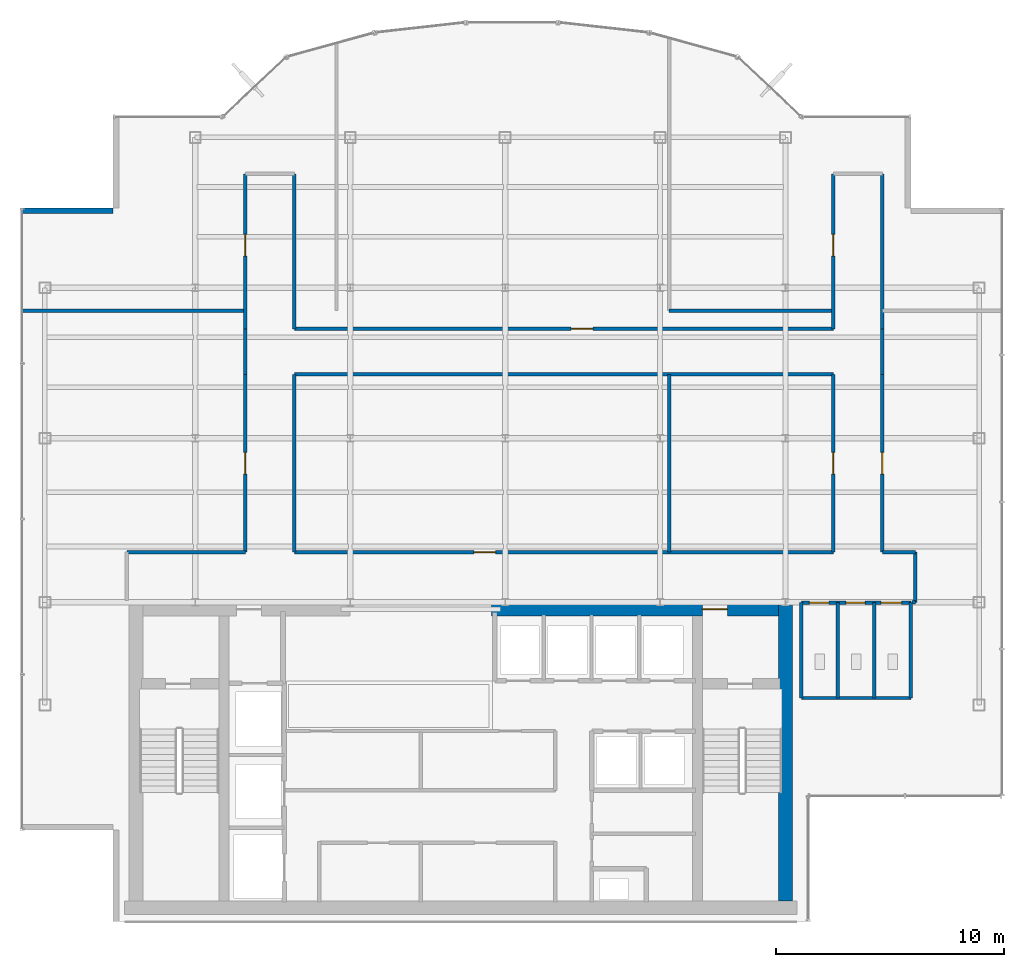
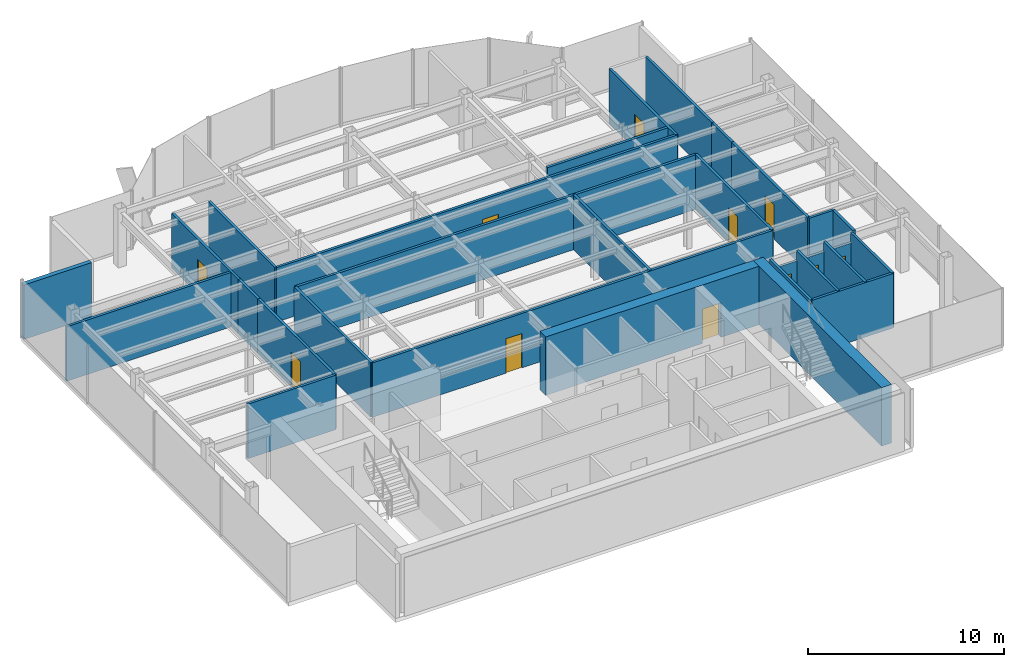
# One storey, part 18 of 22: 29 walls, 11 doors, 11 openings.
"""IFC4 building model written with IfcOpenShell, lengths in metres."""

from ifc_helpers import new_model, si_unit, derived_unit, direction, frame, frame_2d, origin, place, context, subcontext, project, spatial, rectangle, extrude, source, transform, mapped, material, layer, layer_set, type_object, element, fill, save


model = new_model("IFC4")

# Units and contexts
model_context = context("Model", 3, precision=1e-05, world=origin(), true_north=direction((0.0, 1.0)))
body_context = subcontext(model_context, "Body", "Model", "MODEL_VIEW")
ifc_project = project(units=[si_unit("LENGTHUNIT", "METRE"), si_unit("AREAUNIT", "SQUARE_METRE"), si_unit("VOLUMEUNIT", "CUBIC_METRE"), si_unit("PLANEANGLEUNIT", "RADIAN"), si_unit("MASSUNIT", "GRAM", prefix="KILO"), derived_unit("THERMALTRANSMITTANCEUNIT", [(si_unit("POWERUNIT", "WATT"), 1), (si_unit("LENGTHUNIT", "METRE"), -2), (si_unit("THERMODYNAMICTEMPERATUREUNIT", "KELVIN"), -1)])], contexts=[model_context])

# Site, building, storey
site_placement = place(None, origin())
site = spatial("IfcSite", under=ifc_project, at=site_placement, CompositionType="ELEMENT")
building_placement = place(site_placement, origin())
building = spatial("IfcBuilding", under=site, at=building_placement, Name="Skarnbrae Concourse Arena and Tower", CompositionType="ELEMENT")
storey_placement = place(building_placement, frame((0.0, 0.0, 266.10009765625)))
storey = spatial("IfcBuildingStorey", under=building, at=storey_placement, Name="L69", CompositionType="ELEMENT", Elevation=266.10009765625)

# Wall
ifc_material_1 = material(Name="Concrete 50 MPa (C50/60)", Category="concrete")
ifc_layer_1 = layer(ifc_material_1, 0.60009765625)
ifc_layer_set_1 = layer_set([ifc_layer_1], Name="Concrete 50 MPa (C50/60)")
wall_type_1 = type_object("IfcWallType", Name="WALL-CORE-600-C50", PredefinedType="SHEAR", material=ifc_layer_set_1)
shared_shape_1 = source(origin(), body_context, "Body", "SweptSolid", [
    extrude(rectangle(XDim=13.10009765625, YDim=0.60009765625, at=frame_2d((6.550048828125, 0.0))), origin(), (0.0, 0.0, 1.0), 3.64990234375),
])
wall_1_placement = place(storey_placement, frame((33.5, 0.89990234375, 0.0), z_axis=(0.0, 0.0, 1.0), x_axis=(0.0, 1.0, 0.0)))
element("IfcWall", 1, at=wall_1_placement, inside=storey, type_object=wall_type_1, Name="L69 Rear core shear wall CW-E", PredefinedType="SHEAR", context=body_context, shape_type="MappedRepresentation", body=[
    mapped(shared_shape_1, transform((0.0, 0.0, 0.0))),
])

# Wall, opening, door
shared_shape_2 = source(origin(), body_context, "Body", "SweptSolid", [
    extrude(rectangle(XDim=12.599853515625, YDim=0.60009765625, at=frame_2d((6.2998046875, 0.0))), origin(), (0.0, 0.0, 1.0), 3.64990234375),
])
wall_2_placement = place(storey_placement, frame((20.60009765625, 13.699951171875, 0.0), z_axis=(0.0, 0.0, 1.0), x_axis=(1.0, 0.0, 0.0)))
wall_2 = element("IfcWall", 2, at=wall_2_placement, inside=storey, type_object=wall_type_1, Name="L69 Rear core shear wall CW-NE", PredefinedType="SHEAR", context=body_context, shape_type="MappedRepresentation", body=[
    mapped(shared_shape_2, transform((0.0, 0.0, 0.0))),
])
opening_1_placement = place(wall_2_placement, frame((9.25, 0.0, 0.0)))
opening_1 = element("IfcOpeningElement", 3, at=opening_1_placement, cuts=wall_2, Name="Opening DT-03", PredefinedType="OPENING", context=body_context, shape_type="SweptSolid", body=[
    extrude(rectangle(XDim=1.10009765625, YDim=2.14990234375, at=frame_2d((0.550048828125, 1.074951171875))), frame((0.0, 0.31005859375, 0.0), z_axis=(0.0, -1.0, 0.0), x_axis=(1.0, 0.0, 0.0)), (0.0, 0.0, 1.0), 0.6201171875),
])
ifc_material_2 = material(Name="Steel CSA G40.21 350W", Category="steel")
door_type_1 = type_object("IfcDoorType", Name="DOOR-FIRE-1100-90M", OperationType="NOTDEFINED", PredefinedType="DOOR", material=ifc_material_2)
shared_shape_3 = source(origin(), body_context, "Body", "SweptSolid", [
    extrude(rectangle(XDim=1.10009765625, YDim=2.14990234375, at=frame_2d((0.550048828125, 1.074951171875))), frame((0.0, 0.02490234375, 0.0), z_axis=(0.0, -1.0, 0.0), x_axis=(1.0, 0.0, 0.0)), (0.0, 0.0, 1.0), 0.050048828125),
])
door_1_placement = place(opening_1_placement, origin())
door_1 = element("IfcDoor", 4, at=door_1_placement, inside=storey, type_object=door_type_1, Name="D-2080 Stair ST-2 Vestibule Door", OperationType="SINGLE_SWING_LEFT", OverallHeight=2.14990234375, OverallWidth=1.10009765625, PredefinedType="DOOR", context=body_context, shape_type="MappedRepresentation", body=[
    mapped(shared_shape_3, transform((0.0, 0.0, 0.0))),
])
fill(opening_1, door_1)

# Walls
ifc_material_3 = material(Name="Precast concrete 40 MPa (C40/50)", Category="concrete")
ifc_layer_2 = layer(ifc_material_3, 0.25)
ifc_layer_set_2 = layer_set([ifc_layer_2], Name="Precast concrete 40 MPa (C40/50)")
wall_type_2 = type_object("IfcWallType", Name="WALL-EXT-SPANDREL-250", PredefinedType="STANDARD", material=ifc_layer_set_2)
shared_shape_4 = source(origin(), body_context, "Body", "SweptSolid", [
    extrude(rectangle(XDim=4.0, YDim=0.25, at=frame_2d((2.0, 0.0))), origin(), (0.0, 0.0, 1.0), 3.39990234375),
])
wall_3_placement = place(storey_placement, frame((4.0, 31.175048828125, 0.0), z_axis=(0.0, 0.0, 1.0), x_axis=(-1.0, 0.0, 0.0)))
element("IfcWall", 5, at=wall_3_placement, inside=storey, type_object=wall_type_2, Name="L69 Notched corner insulated return wall 17", PredefinedType="STANDARD", context=body_context, shape_type="MappedRepresentation", body=[
    mapped(shared_shape_4, transform((0.0, 0.0, 0.0))),
])
ifc_material_4 = material(Name="Gypsum board on cold-formed steel studs", Category="steel")
ifc_layer_3 = layer(ifc_material_4, 0.14990234375)
ifc_layer_set_3 = layer_set([ifc_layer_3], Name="Gypsum board on cold-formed steel studs")
wall_type_3 = type_object("IfcWallType", Name="WALL-PART-150", PredefinedType="PARTITIONING", material=ifc_layer_set_3)
shared_shape_5 = source(origin(), body_context, "Body", "SweptSolid", [
    extrude(rectangle(XDim=4.800048828125, YDim=0.14990234375, at=frame_2d((2.39990234375, 0.0))), origin(), (0.0, 0.0, 1.0), 3.39990234375),
])
wall_4_placement = place(storey_placement, frame((34.199951171875, 9.800048828125, 0.0), z_axis=(0.0, 0.0, 1.0), x_axis=(1.0, 0.0, 0.0)))
element("IfcWall", 6, at=wall_4_placement, inside=storey, type_object=wall_type_3, Name="L69 Interior partition wall W-L69-WC-S", PredefinedType="PARTITIONING", context=body_context, shape_type="MappedRepresentation", body=[
    mapped(shared_shape_5, transform((0.0, 0.0, 0.0))),
])
shared_shape_6 = source(origin(), body_context, "Body", "SweptSolid", [
    extrude(rectangle(XDim=4.179931640625, YDim=0.14990234375, at=frame_2d((2.08984375, 0.0))), origin(), (0.0, 0.0, 1.0), 3.39990234375),
])
for number, where, z_axis, x_axis, name in (
    (7, (39.0, 9.800048828125, 0.0), (0.0, 0.0, 1.0), (0.0, 1.0, 0.0), "L69 Interior partition wall W-L69-WC-E"),
    (8, (34.199951171875, 9.800048828125, 0.0), (0.0, 0.0, 1.0), (0.0, 1.0, 0.0), "L69 Interior partition wall W-L69-WC-W"),
    (9, (35.800048828125, 9.800048828125, 0.0), (0.0, 0.0, 1.0), (0.0, 1.0, 0.0), "L69 Interior partition wall W-L69-WC-D1"),
    (10, (37.39990234375, 9.800048828125, 0.0), (0.0, 0.0, 1.0), (0.0, 1.0, 0.0), "L69 Interior partition wall W-L69-WC-D2"),
):
    element("IfcWall", number, at=place(storey_placement, frame(where, z_axis=z_axis, x_axis=x_axis)), inside=storey, type_object=wall_type_3, Name=name, PredefinedType="PARTITIONING", context=body_context, shape_type="MappedRepresentation", body=[
        mapped(shared_shape_6, transform((0.0, 0.0, 0.0))),
    ])
ifc_layer_4 = layer(ifc_material_4, 0.14990234375)
ifc_layer_set_4 = layer_set([ifc_layer_4], Name="Gypsum board on cold-formed steel studs")
wall_type_4 = type_object("IfcWallType", Name="WALL-PART-150-1HR", PredefinedType="PARTITIONING", material=ifc_layer_set_4)
shared_shape_7 = source(origin(), body_context, "Body", "SweptSolid", [
    extrude(rectangle(XDim=2.199951171875, YDim=0.14990234375, at=frame_2d((1.10009765625, 0.0))), origin(), (0.0, 0.0, 1.0), 3.39990234375),
])
wall_5_placement = place(storey_placement, frame((39.199951171875, 16.199951171875, 0.0), z_axis=(0.0, 0.0, 1.0), x_axis=(0.0, -1.0, 0.0)))
element("IfcWall", 11, at=wall_5_placement, inside=storey, type_object=wall_type_4, Name="L69 Interior partition wall W-L69-COR-15", PredefinedType="PARTITIONING", context=body_context, shape_type="MappedRepresentation", body=[
    mapped(shared_shape_7, transform((0.0, 0.0, 0.0))),
])
shared_shape_8 = source(origin(), body_context, "Body", "SweptSolid", [
    extrude(rectangle(XDim=5.199951171875, YDim=0.14990234375, at=frame_2d((2.60009765625, 0.0))), origin(), (0.0, 0.0, 1.0), 3.39990234375),
])
wall_6_placement = place(storey_placement, frame((4.60009765625, 16.199951171875, 0.0), z_axis=(0.0, 0.0, 1.0), x_axis=(1.0, 0.0, 0.0)))
element("IfcWall", 12, at=wall_6_placement, inside=storey, type_object=wall_type_4, Name="L69 Interior partition wall W-L69-COR-02", PredefinedType="PARTITIONING", context=body_context, shape_type="MappedRepresentation", body=[
    mapped(shared_shape_8, transform((0.0, 0.0, 0.0))),
])

# Wall, opening, door
shared_shape_9 = source(origin(), body_context, "Body", "SweptSolid", [
    extrude(rectangle(XDim=7.800048828125, YDim=0.14990234375, at=frame_2d((3.89990234375, 0.0))), origin(), (0.0, 0.0, 1.0), 3.39990234375),
])
wall_7_placement = place(storey_placement, frame((9.800048828125, 16.199951171875, 0.0), z_axis=(0.0, 0.0, 1.0), x_axis=(0.0, 1.0, 0.0)))
wall_7 = element("IfcWall", 13, at=wall_7_placement, inside=storey, type_object=wall_type_4, Name="L69 Interior partition wall W-L69-COR-03", PredefinedType="PARTITIONING", context=body_context, shape_type="MappedRepresentation", body=[
    mapped(shared_shape_9, transform((0.0, 0.0, 0.0))),
])
opening_2_placement = place(wall_7_placement, frame((3.425048828125, 0.0, 0.0)))
opening_2 = element("IfcOpeningElement", 14, at=opening_2_placement, cuts=wall_7, Name="Opening DT-04", PredefinedType="OPENING", context=body_context, shape_type="SweptSolid", body=[
    extrude(rectangle(XDim=0.949951171875, YDim=2.14990234375, at=frame_2d((0.47509765625, 1.074951171875))), frame((0.0, 0.0849609375, 0.0), z_axis=(0.0, -1.0, 0.0), x_axis=(1.0, 0.0, 0.0)), (0.0, 0.0, 1.0), 0.169921875),
])
door_type_2 = type_object("IfcDoorType", Name="DOOR-INT-950-45M", OperationType="NOTDEFINED", PredefinedType="DOOR", material=ifc_material_2)
shared_shape_10 = source(origin(), body_context, "Body", "SweptSolid", [
    extrude(rectangle(XDim=0.949951171875, YDim=2.14990234375, at=frame_2d((0.47509765625, 1.074951171875))), frame((0.0, 0.02490234375, 0.0), z_axis=(0.0, -1.0, 0.0), x_axis=(1.0, 0.0, 0.0)), (0.0, 0.0, 1.0), 0.050048828125),
])
door_2_placement = place(opening_2_placement, origin())
door_2 = element("IfcDoor", 15, at=door_2_placement, inside=storey, type_object=door_type_2, Name="D-2099 L69 Suite Door 01", OperationType="SINGLE_SWING_LEFT", OverallHeight=2.14990234375, OverallWidth=0.949951171875, PredefinedType="DOOR", context=body_context, shape_type="MappedRepresentation", body=[
    mapped(shared_shape_10, transform((0.0, 0.0, 0.0))),
])
fill(opening_2, door_2)

wall_8_placement = place(storey_placement, frame((37.75, 24.0, 0.0), z_axis=(0.0, 0.0, 1.0), x_axis=(0.0, -1.0, 0.0)))
wall_8 = element("IfcWall", 16, at=wall_8_placement, inside=storey, type_object=wall_type_4, Name="L69 Interior partition wall W-L69-COR-13", PredefinedType="PARTITIONING", context=body_context, shape_type="MappedRepresentation", body=[
    mapped(shared_shape_9, transform((0.0, 0.0, 0.0))),
])
opening_3_placement = place(wall_8_placement, frame((3.425048828125, 0.0, 0.0)))
opening_3 = element("IfcOpeningElement", 17, at=opening_3_placement, cuts=wall_8, Name="Opening DT-04", PredefinedType="OPENING", context=body_context, shape_type="SweptSolid", body=[
    extrude(rectangle(XDim=0.949951171875, YDim=2.14990234375, at=frame_2d((0.47509765625, 1.074951171875))), frame((0.0, 0.0849609375, 0.0), z_axis=(0.0, -1.0, 0.0), x_axis=(1.0, 0.0, 0.0)), (0.0, 0.0, 1.0), 0.169921875),
])
door_3_placement = place(opening_3_placement, origin())
door_3 = element("IfcDoor", 18, at=door_3_placement, inside=storey, type_object=door_type_2, Name="D-2105 L69 Suite Door 07", OperationType="SINGLE_SWING_LEFT", OverallHeight=2.14990234375, OverallWidth=0.949951171875, PredefinedType="DOOR", context=body_context, shape_type="MappedRepresentation", body=[
    mapped(shared_shape_10, transform((0.0, 0.0, 0.0))),
])
fill(opening_3, door_3)

wall_9_placement = place(storey_placement, frame((35.60009765625, 16.199951171875, 0.0), z_axis=(0.0, 0.0, 1.0), x_axis=(0.0, 1.0, 0.0)))
wall_9 = element("IfcWall", 19, at=wall_9_placement, inside=storey, type_object=wall_type_4, Name="L69 Interior partition wall W-L69-COR-18", PredefinedType="PARTITIONING", context=body_context, shape_type="MappedRepresentation", body=[
    mapped(shared_shape_9, transform((0.0, 0.0, 0.0))),
])
opening_4_placement = place(wall_9_placement, frame((3.425048828125, 0.0, 0.0)))
opening_4 = element("IfcOpeningElement", 20, at=opening_4_placement, cuts=wall_9, Name="Opening DT-04", PredefinedType="OPENING", context=body_context, shape_type="SweptSolid", body=[
    extrude(rectangle(XDim=0.949951171875, YDim=2.14990234375, at=frame_2d((0.47509765625, 1.074951171875))), frame((0.0, 0.0849609375, 0.0), z_axis=(0.0, -1.0, 0.0), x_axis=(1.0, 0.0, 0.0)), (0.0, 0.0, 1.0), 0.169921875),
])
door_4_placement = place(opening_4_placement, origin())
door_4 = element("IfcDoor", 21, at=door_4_placement, inside=storey, type_object=door_type_2, Name="D-2103 L69 Suite Door 05", OperationType="SINGLE_SWING_LEFT", OverallHeight=2.14990234375, OverallWidth=0.949951171875, PredefinedType="DOOR", context=body_context, shape_type="MappedRepresentation", body=[
    mapped(shared_shape_10, transform((0.0, 0.0, 0.0))),
])
fill(opening_4, door_4)

# Walls
wall_10_placement = place(storey_placement, frame((11.949951171875, 24.0, 0.0), z_axis=(0.0, 0.0, 1.0), x_axis=(0.0, -1.0, 0.0)))
element("IfcWall", 22, at=wall_10_placement, inside=storey, type_object=wall_type_4, Name="L69 Interior partition wall W-L69-COR-20", PredefinedType="PARTITIONING", context=body_context, shape_type="MappedRepresentation", body=[
    mapped(shared_shape_9, transform((0.0, 0.0, 0.0))),
])
wall_11_placement = place(storey_placement, frame((28.39990234375, 24.0, 0.0), z_axis=(0.0, 0.0, 1.0), x_axis=(0.0, -1.0, 0.0)))
element("IfcWall", 23, at=wall_11_placement, inside=storey, type_object=wall_type_3, Name="L69 Interior partition wall W-L69-DEM-23", PredefinedType="PARTITIONING", context=body_context, shape_type="MappedRepresentation", body=[
    mapped(shared_shape_9, transform((0.0, 0.0, 0.0))),
])
shared_shape_11 = source(origin(), body_context, "Body", "SweptSolid", [
    extrude(rectangle(XDim=1.449951171875, YDim=0.14990234375, at=frame_2d((0.72509765625, 0.0))), origin(), (0.0, 0.0, 1.0), 3.39990234375),
])
wall_12_placement = place(storey_placement, frame((37.75, 16.199951171875, 0.0), z_axis=(0.0, 0.0, 1.0), x_axis=(1.0, 0.0, 0.0)))
element("IfcWall", 24, at=wall_12_placement, inside=storey, type_object=wall_type_4, Name="L69 Interior partition wall W-L69-COR-14", PredefinedType="PARTITIONING", context=body_context, shape_type="MappedRepresentation", body=[
    mapped(shared_shape_11, transform((0.0, 0.0, 0.0))),
])

# Wall, openings, doors
shared_shape_12 = source(origin(), body_context, "Body", "SweptSolid", [
    extrude(rectangle(XDim=4.800048828125, YDim=0.14990234375, at=frame_2d((2.39990234375, 0.0))), origin(), (0.0, 0.0, 1.0), 2.786865234375),
])
wall_13_placement = place(storey_placement, frame((34.199951171875, 13.97998046875, 0.0), z_axis=(0.0, 0.0, 1.0), x_axis=(1.0, 0.0, 0.0)))
wall_13 = element("IfcWall", 25, at=wall_13_placement, inside=storey, type_object=wall_type_3, Name="L69 Interior partition wall W-L69-WC-N", PredefinedType="PARTITIONING", context=body_context, shape_type="MappedRepresentation", body=[
    mapped(shared_shape_12, transform((0.0, 0.0, 0.0))),
])
opening_5_placement = place(wall_13_placement, frame((0.35009765625, 0.0, 0.0)))
opening_5 = element("IfcOpeningElement", 26, at=opening_5_placement, cuts=wall_13, Name="Opening DT-06", PredefinedType="OPENING", context=body_context, shape_type="SweptSolid", body=[
    extrude(rectangle(XDim=0.85009765625, YDim=2.10009765625, at=frame_2d((0.425048828125, 1.050048828125))), frame((0.0, 0.0849609375, 0.0), z_axis=(0.0, -1.0, 0.0), x_axis=(1.0, 0.0, 0.0)), (0.0, 0.0, 1.0), 0.169921875),
])
opening_6_placement = place(wall_13_placement, frame((1.949951171875, 0.0, 0.0)))
opening_6 = element("IfcOpeningElement", 27, at=opening_6_placement, cuts=wall_13, Name="Opening DT-06", PredefinedType="OPENING", context=body_context, shape_type="SweptSolid", body=[
    extrude(rectangle(XDim=0.85009765625, YDim=2.10009765625, at=frame_2d((0.425048828125, 1.050048828125))), frame((0.0, 0.0849609375, 0.0), z_axis=(0.0, -1.0, 0.0), x_axis=(1.0, 0.0, 0.0)), (0.0, 0.0, 1.0), 0.169921875),
])
opening_7_placement = place(wall_13_placement, frame((3.5, 0.0, 0.0)))
opening_7 = element("IfcOpeningElement", 28, at=opening_7_placement, cuts=wall_13, Name="Opening DT-05", PredefinedType="OPENING", context=body_context, shape_type="SweptSolid", body=[
    extrude(rectangle(XDim=0.89990234375, YDim=2.10009765625, at=frame_2d((0.449951171875, 1.050048828125))), frame((0.0, 0.0849609375, 0.0), z_axis=(0.0, -1.0, 0.0), x_axis=(1.0, 0.0, 0.0)), (0.0, 0.0, 1.0), 0.169921875),
])
ifc_material_5 = material(Name="Architectural oak veneer timber leaf", Category="wood")
door_type_3 = type_object("IfcDoorType", Name="DOOR-INT-850", OperationType="NOTDEFINED", PredefinedType="DOOR", material=ifc_material_5)
shared_shape_13 = source(origin(), body_context, "Body", "SweptSolid", [
    extrude(rectangle(XDim=0.85009765625, YDim=2.10009765625, at=frame_2d((0.425048828125, 1.050048828125))), frame((0.0, 0.02490234375, 0.0), z_axis=(0.0, -1.0, 0.0), x_axis=(1.0, 0.0, 0.0)), (0.0, 0.0, 1.0), 0.050048828125),
])
door_5_placement = place(opening_5_placement, frame((0.85009765625, 0.0, 0.0), z_axis=(0.0, 0.0, 1.0), x_axis=(-1.0, 0.0, 0.0)))
door_5 = element("IfcDoor", 29, at=door_5_placement, inside=storey, type_object=door_type_3, Name="D-2096 Male Washroom Door", OperationType="SINGLE_SWING_LEFT", OverallHeight=2.10009765625, OverallWidth=0.85009765625, PredefinedType="DOOR", context=body_context, shape_type="MappedRepresentation", body=[
    mapped(shared_shape_13, transform((0.0, 0.0, 0.0))),
])
fill(opening_5, door_5)
door_6_placement = place(opening_6_placement, frame((0.85009765625, 0.0, 0.0), z_axis=(0.0, 0.0, 1.0), x_axis=(-1.0, 0.0, 0.0)))
door_6 = element("IfcDoor", 30, at=door_6_placement, inside=storey, type_object=door_type_3, Name="D-2097 Female Washroom Door", OperationType="SINGLE_SWING_RIGHT", OverallHeight=2.10009765625, OverallWidth=0.85009765625, PredefinedType="DOOR", context=body_context, shape_type="MappedRepresentation", body=[
    mapped(shared_shape_13, transform((0.0, 0.0, 0.0))),
])
fill(opening_6, door_6)
door_type_4 = type_object("IfcDoorType", Name="DOOR-INT-900", OperationType="NOTDEFINED", PredefinedType="DOOR", material=ifc_material_5)
shared_shape_14 = source(origin(), body_context, "Body", "SweptSolid", [
    extrude(rectangle(XDim=0.89990234375, YDim=2.10009765625, at=frame_2d((0.449951171875, 1.050048828125))), frame((0.0, 0.02490234375, 0.0), z_axis=(0.0, -1.0, 0.0), x_axis=(1.0, 0.0, 0.0)), (0.0, 0.0, 1.0), 0.050048828125),
])
door_7_placement = place(opening_7_placement, frame((0.89990234375, 0.0, 0.0), z_axis=(0.0, 0.0, 1.0), x_axis=(-1.0, 0.0, 0.0)))
door_7 = element("IfcDoor", 31, at=door_7_placement, inside=storey, type_object=door_type_4, Name="D-2098 Accessible WC Door", OperationType="SINGLE_SWING_LEFT", OverallHeight=2.10009765625, OverallWidth=0.89990234375, PredefinedType="DOOR", context=body_context, shape_type="MappedRepresentation", body=[
    mapped(shared_shape_14, transform((0.0, 0.0, 0.0))),
])
fill(opening_7, door_7)

# Wall
shared_shape_15 = source(origin(), body_context, "Body", "SweptSolid", [
    extrude(rectangle(XDim=0.14990234375, YDim=0.14990234375, at=frame_2d((0.074951171875, 0.0))), origin(), (0.0, 0.0, 1.0), 3.39990234375),
])
wall_14_placement = place(storey_placement, frame((39.199951171875, 14.0, 0.0), z_axis=(0.0, 0.0, 1.0), x_axis=(-1.0, 0.0, 0.0)))
element("IfcWall", 32, at=wall_14_placement, inside=storey, type_object=wall_type_4, Name="L69 Interior partition wall W-L69-COR-16", PredefinedType="PARTITIONING", context=body_context, shape_type="MappedRepresentation", body=[
    mapped(shared_shape_15, transform((0.0, 0.0, 0.0))),
])

# Wall, opening, door
shared_shape_16 = source(origin(), body_context, "Body", "SweptSolid", [
    extrude(rectangle(XDim=6.800048828125, YDim=0.14990234375, at=frame_2d((3.39990234375, 0.0))), origin(), (0.0, 0.0, 1.0), 3.39990234375),
])
wall_15_placement = place(storey_placement, frame((9.800048828125, 26.0, 0.0), z_axis=(0.0, 0.0, 1.0), x_axis=(0.0, 1.0, 0.0)))
wall_15 = element("IfcWall", 33, at=wall_15_placement, inside=storey, type_object=wall_type_4, Name="L69 Interior partition wall W-L69-COR-05", PredefinedType="PARTITIONING", context=body_context, shape_type="MappedRepresentation", body=[
    mapped(shared_shape_16, transform((0.0, 0.0, 0.0))),
])
opening_8_placement = place(wall_15_placement, frame((3.195068359375, 0.0, 0.0)))
opening_8 = element("IfcOpeningElement", 34, at=opening_8_placement, cuts=wall_15, Name="Opening DT-04", PredefinedType="OPENING", context=body_context, shape_type="SweptSolid", body=[
    extrude(rectangle(XDim=0.949951171875, YDim=2.14990234375, at=frame_2d((0.47509765625, 1.074951171875))), frame((0.0, 0.0849609375, 0.0), z_axis=(0.0, -1.0, 0.0), x_axis=(1.0, 0.0, 0.0)), (0.0, 0.0, 1.0), 0.169921875),
])
door_8_placement = place(opening_8_placement, origin())
door_8 = element("IfcDoor", 35, at=door_8_placement, inside=storey, type_object=door_type_2, Name="D-2100 L69 Suite Door 02", OperationType="SINGLE_SWING_RIGHT", OverallHeight=2.14990234375, OverallWidth=0.949951171875, PredefinedType="DOOR", context=body_context, shape_type="MappedRepresentation", body=[
    mapped(shared_shape_10, transform((0.0, 0.0, 0.0))),
])
fill(opening_8, door_8)

# Wall
wall_16_placement = place(storey_placement, frame((11.949951171875, 32.800048828125, 0.0), z_axis=(0.0, 0.0, 1.0), x_axis=(0.0, -1.0, 0.0)))
element("IfcWall", 36, at=wall_16_placement, inside=storey, type_object=wall_type_4, Name="L69 Interior partition wall W-L69-COR-07", PredefinedType="PARTITIONING", context=body_context, shape_type="MappedRepresentation", body=[
    mapped(shared_shape_16, transform((0.0, 0.0, 0.0))),
])

# Wall, opening, door
wall_17_placement = place(storey_placement, frame((35.60009765625, 26.0, 0.0), z_axis=(0.0, 0.0, 1.0), x_axis=(0.0, 1.0, 0.0)))
wall_17 = element("IfcWall", 37, at=wall_17_placement, inside=storey, type_object=wall_type_4, Name="L69 Interior partition wall W-L69-COR-09", PredefinedType="PARTITIONING", context=body_context, shape_type="MappedRepresentation", body=[
    mapped(shared_shape_16, transform((0.0, 0.0, 0.0))),
])
opening_9_placement = place(wall_17_placement, frame((3.195068359375, 0.0, 0.0)))
opening_9 = element("IfcOpeningElement", 38, at=opening_9_placement, cuts=wall_17, Name="Opening DT-04", PredefinedType="OPENING", context=body_context, shape_type="SweptSolid", body=[
    extrude(rectangle(XDim=0.949951171875, YDim=2.14990234375, at=frame_2d((0.47509765625, 1.074951171875))), frame((0.0, 0.0849609375, 0.0), z_axis=(0.0, -1.0, 0.0), x_axis=(1.0, 0.0, 0.0)), (0.0, 0.0, 1.0), 0.169921875),
])
door_9_placement = place(opening_9_placement, origin())
door_9 = element("IfcDoor", 39, at=door_9_placement, inside=storey, type_object=door_type_2, Name="D-2104 L69 Suite Door 06", OperationType="SINGLE_SWING_RIGHT", OverallHeight=2.14990234375, OverallWidth=0.949951171875, PredefinedType="DOOR", context=body_context, shape_type="MappedRepresentation", body=[
    mapped(shared_shape_10, transform((0.0, 0.0, 0.0))),
])
fill(opening_9, door_9)

# Walls
wall_18_placement = place(storey_placement, frame((37.75, 32.800048828125, 0.0), z_axis=(0.0, 0.0, 1.0), x_axis=(0.0, -1.0, 0.0)))
element("IfcWall", 40, at=wall_18_placement, inside=storey, type_object=wall_type_4, Name="L69 Interior partition wall W-L69-COR-11", PredefinedType="PARTITIONING", context=body_context, shape_type="MappedRepresentation", body=[
    mapped(shared_shape_16, transform((0.0, 0.0, 0.0))),
])
shared_shape_17 = source(origin(), body_context, "Body", "SweptSolid", [
    extrude(rectangle(XDim=2.0, YDim=0.14990234375, at=frame_2d((1.0, 0.0))), origin(), (0.0, 0.0, 1.0), 3.39990234375),
])
for number, where, z_axis, x_axis, name in (
    (41, (9.800048828125, 24.0, 0.0), (0.0, 0.0, 1.0), (0.0, 1.0, 0.0), "L69 Interior partition wall W-L69-COR-04"),
    (42, (37.75, 26.0, 0.0), (0.0, 0.0, 1.0), (0.0, -1.0, 0.0), "L69 Interior partition wall W-L69-COR-12"),
):
    element("IfcWall", number, at=place(storey_placement, frame(where, z_axis=z_axis, x_axis=x_axis)), inside=storey, type_object=wall_type_4, Name=name, PredefinedType="PARTITIONING", context=body_context, shape_type="MappedRepresentation", body=[
        mapped(shared_shape_17, transform((0.0, 0.0, 0.0))),
    ])

# Wall, opening, door
shared_shape_18 = source(origin(), body_context, "Body", "SweptSolid", [
    extrude(rectangle(XDim=23.650146484375, YDim=0.14990234375, at=frame_2d((11.8251953125, 0.0))), origin(), (0.0, 0.0, 1.0), 3.39990234375),
])
wall_19_placement = place(storey_placement, frame((11.949951171875, 26.0, 0.0), z_axis=(0.0, 0.0, 1.0), x_axis=(1.0, 0.0, 0.0)))
wall_19 = element("IfcWall", 43, at=wall_19_placement, inside=storey, type_object=wall_type_4, Name="L69 Interior partition wall W-L69-COR-08", PredefinedType="PARTITIONING", context=body_context, shape_type="MappedRepresentation", body=[
    mapped(shared_shape_18, transform((0.0, 0.0, 0.0))),
])
opening_10_placement = place(wall_19_placement, frame((12.14501953125, 0.0, 0.0)))
opening_10 = element("IfcOpeningElement", 44, at=opening_10_placement, cuts=wall_19, Name="Opening DT-04", PredefinedType="OPENING", context=body_context, shape_type="SweptSolid", body=[
    extrude(rectangle(XDim=0.949951171875, YDim=2.14990234375, at=frame_2d((0.47509765625, 1.074951171875))), frame((0.0, 0.0849609375, 0.0), z_axis=(0.0, -1.0, 0.0), x_axis=(1.0, 0.0, 0.0)), (0.0, 0.0, 1.0), 0.169921875),
])
door_10_placement = place(opening_10_placement, origin())
door_10 = element("IfcDoor", 45, at=door_10_placement, inside=storey, type_object=door_type_2, Name="D-2102 L69 Suite Door 04", OperationType="SINGLE_SWING_RIGHT", OverallHeight=2.14990234375, OverallWidth=0.949951171875, PredefinedType="DOOR", context=body_context, shape_type="MappedRepresentation", body=[
    mapped(shared_shape_10, transform((0.0, 0.0, 0.0))),
])
fill(opening_10, door_10)

wall_20_placement = place(storey_placement, frame((11.949951171875, 16.199951171875, 0.0), z_axis=(0.0, 0.0, 1.0), x_axis=(1.0, 0.0, 0.0)))
wall_20 = element("IfcWall", 46, at=wall_20_placement, inside=storey, type_object=wall_type_4, Name="L69 Interior partition wall W-L69-COR-17", PredefinedType="PARTITIONING", context=body_context, shape_type="MappedRepresentation", body=[
    mapped(shared_shape_18, transform((0.0, 0.0, 0.0))),
])
opening_11_placement = place(wall_20_placement, frame((7.8798828125, 0.0, 0.0)))
opening_11 = element("IfcOpeningElement", 47, at=opening_11_placement, cuts=wall_20, Name="Opening DT-04", PredefinedType="OPENING", context=body_context, shape_type="SweptSolid", body=[
    extrude(rectangle(XDim=0.949951171875, YDim=2.14990234375, at=frame_2d((0.47509765625, 1.074951171875))), frame((0.0, 0.0849609375, 0.0), z_axis=(0.0, -1.0, 0.0), x_axis=(1.0, 0.0, 0.0)), (0.0, 0.0, 1.0), 0.169921875),
])
door_11_placement = place(opening_11_placement, origin())
door_11 = element("IfcDoor", 48, at=door_11_placement, inside=storey, type_object=door_type_2, Name="D-2101 L69 Suite Door 03", OperationType="SINGLE_SWING_LEFT", OverallHeight=2.14990234375, OverallWidth=0.949951171875, PredefinedType="DOOR", context=body_context, shape_type="MappedRepresentation", body=[
    mapped(shared_shape_10, transform((0.0, 0.0, 0.0))),
])
fill(opening_11, door_11)

# Walls
wall_21_placement = place(storey_placement, frame((35.60009765625, 24.0, 0.0), z_axis=(0.0, 0.0, 1.0), x_axis=(-1.0, 0.0, 0.0)))
element("IfcWall", 49, at=wall_21_placement, inside=storey, type_object=wall_type_4, Name="L69 Interior partition wall W-L69-COR-19", PredefinedType="PARTITIONING", context=body_context, shape_type="MappedRepresentation", body=[
    mapped(shared_shape_18, transform((0.0, 0.0, 0.0))),
])
shared_shape_19 = source(origin(), body_context, "Body", "SweptSolid", [
    extrude(rectangle(XDim=9.780029296875, YDim=0.14990234375, at=frame_2d((4.89013671875, 0.0))), origin(), (0.0, 0.0, 1.0), 3.39990234375),
])
wall_22_placement = place(storey_placement, frame((0.02001953125, 26.800048828125, 0.0), z_axis=(0.0, 0.0, 1.0), x_axis=(1.0, 0.0, 0.0)))
element("IfcWall", 50, at=wall_22_placement, inside=storey, type_object=wall_type_3, Name="L69 Interior partition wall W-L69-DEM-21", PredefinedType="PARTITIONING", context=body_context, shape_type="MappedRepresentation", body=[
    mapped(shared_shape_19, transform((0.0, 0.0, 0.0))),
])
shared_shape_20 = source(origin(), body_context, "Body", "SweptSolid", [
    extrude(rectangle(XDim=7.2001953125, YDim=0.14990234375, at=frame_2d((3.60009765625, 0.0))), origin(), (0.0, 0.0, 1.0), 3.39990234375),
])
wall_23_placement = place(storey_placement, frame((28.39990234375, 26.800048828125, 0.0), z_axis=(0.0, 0.0, 1.0), x_axis=(1.0, 0.0, 0.0)))
element("IfcWall", 51, at=wall_23_placement, inside=storey, type_object=wall_type_3, Name="L69 Interior partition wall W-L69-DEM-25", PredefinedType="PARTITIONING", context=body_context, shape_type="MappedRepresentation", body=[
    mapped(shared_shape_20, transform((0.0, 0.0, 0.0))),
])

save(model, "model.ifc")
